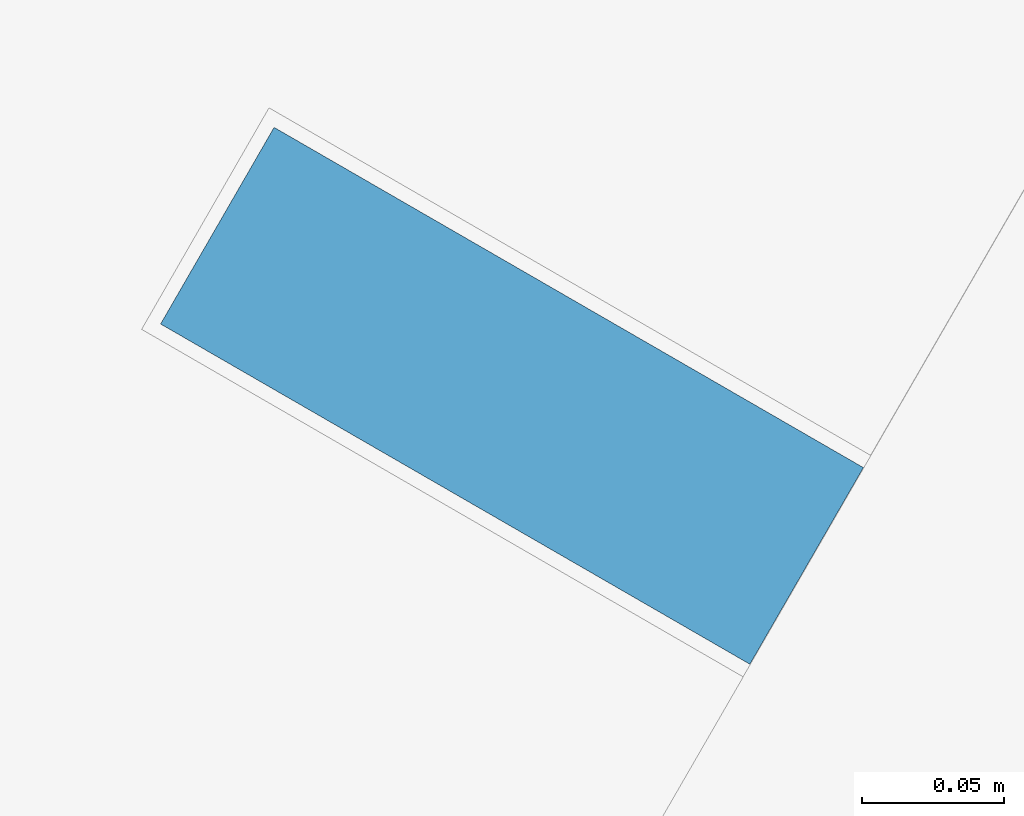
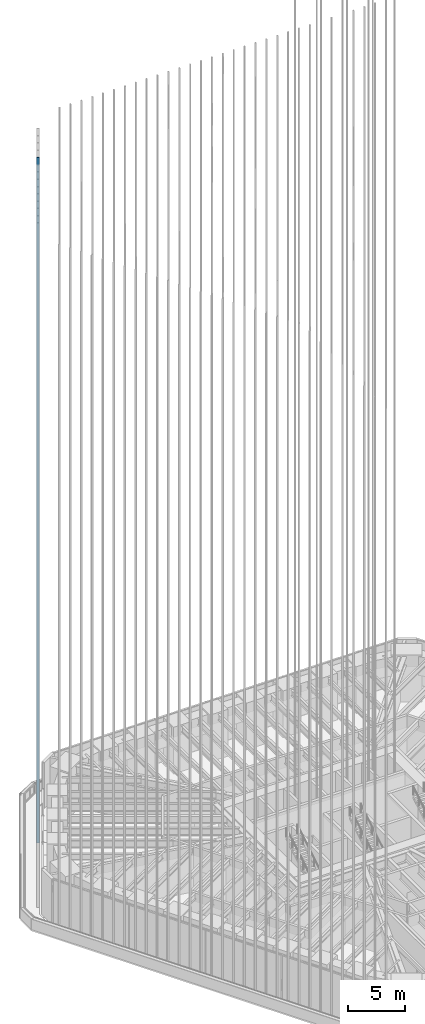
# One storey, part 147 of 228: 1 member, 1 element without a shape of its own.
"""IFC4 building model written with IfcOpenShell, lengths in metres."""

from ifc_helpers import new_model, si_unit, direction, frame, origin, origin_2d, place, context, subcontext, project, spatial, rectangle, extrude, material, material_profile, profile_set, type_object, element, aggregate, save


model = new_model("IFC4")

# Units and contexts
model_context = context("Model", 3, precision=1e-05, world=origin(), true_north=direction((0.0, 1.0)))
body_context = subcontext(model_context, "Body", "Model", "MODEL_VIEW")
ifc_project = project(units=[si_unit("LENGTHUNIT", "METRE"), si_unit("AREAUNIT", "SQUARE_METRE"), si_unit("VOLUMEUNIT", "CUBIC_METRE"), si_unit("PLANEANGLEUNIT", "RADIAN"), si_unit("MASSUNIT", "GRAM", prefix="KILO")], contexts=[model_context])

# Site, building, storey
site_placement = place(None, origin())
site = spatial("IfcSite", under=ifc_project, at=site_placement, CompositionType="ELEMENT")
building_placement = place(site_placement, origin())
building = spatial("IfcBuilding", under=site, at=building_placement, Name="Sandreach Pilgrim Tower", CompositionType="ELEMENT")
storey_placement = place(building_placement, frame((0.0, 0.0, 178.199951171875)))
storey = spatial("IfcBuildingStorey", under=building, at=storey_placement, Name="L44", CompositionType="ELEMENT", Elevation=178.199951171875)

# Curtain wall, member
ifc_material_1 = material(Name="Aluminium framed curtain wall", Category="aluminium")
curtain_wall_type = type_object("IfcCurtainWallType", Name="Upper hotel tower curtain wall", PredefinedType="NOTDEFINED", material=ifc_material_1)
curtain_wall_placement = place(storey_placement, origin())
curtain_wall = element("IfcCurtainWall", 1, at=curtain_wall_placement, inside=storey, type_object=curtain_wall_type, Name="CW-3 L44 NW", PredefinedType="NOTDEFINED")
ifc_material_2 = material(Name="Extruded terracotta on aluminium core", Category="masonry")
ifc_material_profile = material_profile(ifc_material_2, rectangle(XDim=0.080078125, YDim=0.239990234375, at=origin_2d()), Name="TBW 80X240")
ifc_profile_set = profile_set([ifc_material_profile], Name="Extruded terracotta on aluminium core")
member_type = type_object("IfcMemberType", Name="Terracotta baguette west", PredefinedType="USERDEFINED", material=ifc_profile_set)
member_placement = place(storey_placement, frame((-21.9453125, 15.880126953125, 0.0), z_axis=(0.0, 0.0, 1.0), x_axis=(0.5, 0.866025403784, 0.0)))
member = element("IfcMember", 2, at=member_placement, type_object=member_type, Name="Baguette Z3 NW10", ObjectType="BAGUETTE", PredefinedType="USERDEFINED", context=body_context, shape_type="SweptSolid", body=[
    extrude(rectangle(XDim=0.080078125, YDim=0.239990234375, at=origin_2d()), origin(), (0.0, 0.0, 1.0), 73.239990234375),
])
aggregate(curtain_wall, [member])

save(model, "model.ifc")
